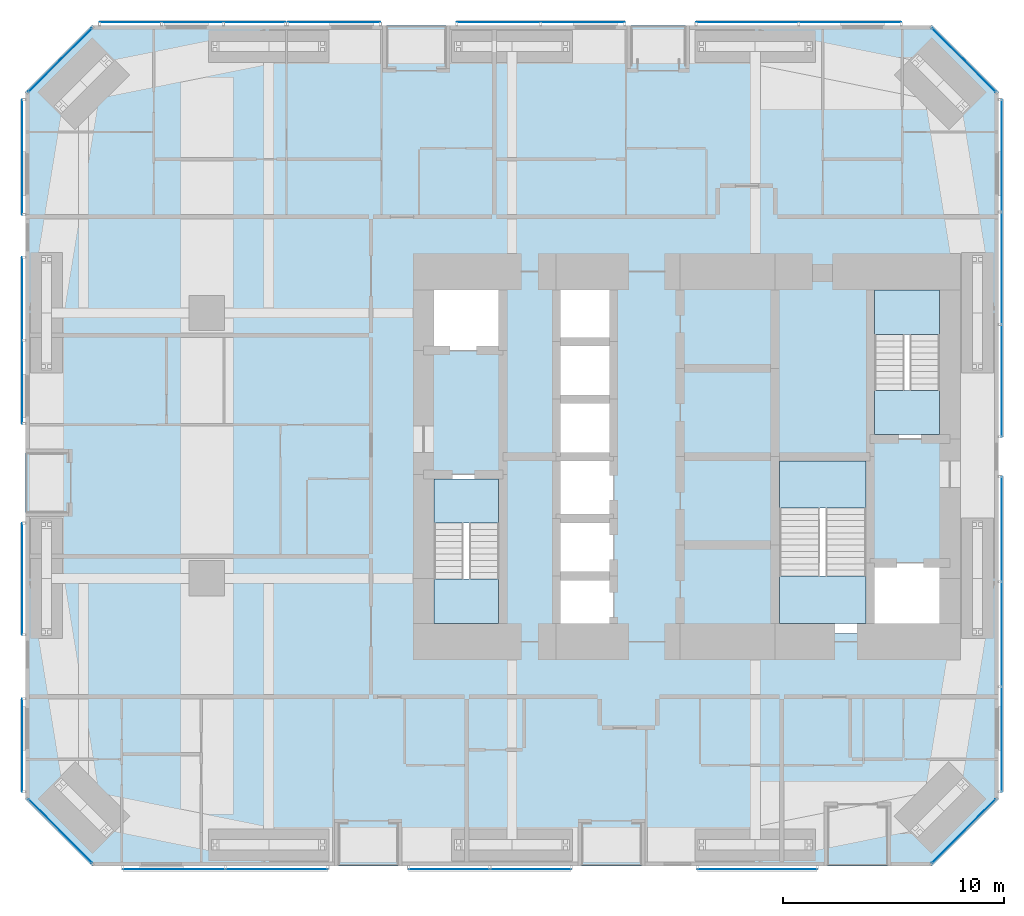
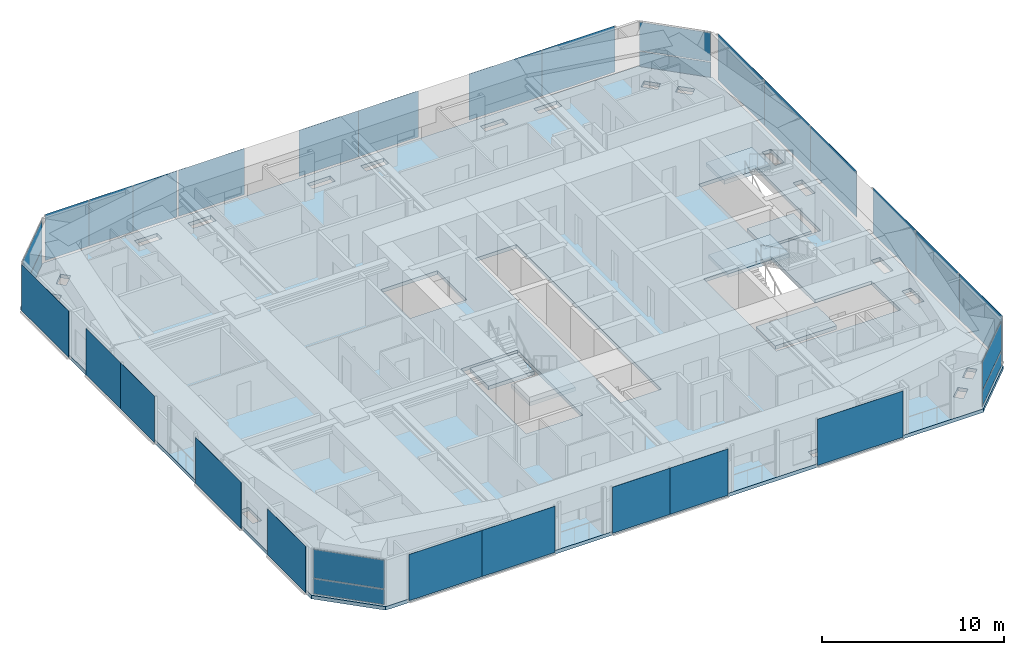
# One storey, part 15 of 23: 32 plates, 7 slabs, 20 elements without a shape of their own.
"""IFC4 building model written with IfcOpenShell, lengths in metres."""

from ifc_helpers import new_model, si_unit, direction, frame, origin, origin_2d, place, context, subcontext, project, spatial, polyline, rectangle, outline, extrude, material, layer, layer_set, type_object, element, aggregate, save


model = new_model("IFC4")

# Units and contexts
model_context = context("Model", 3, precision=1e-05, world=origin(), true_north=direction((0.0, 1.0)))
body_context = subcontext(model_context, "Body", "Model", "MODEL_VIEW")
ifc_project = project(units=[si_unit("LENGTHUNIT", "METRE"), si_unit("AREAUNIT", "SQUARE_METRE"), si_unit("VOLUMEUNIT", "CUBIC_METRE"), si_unit("PLANEANGLEUNIT", "RADIAN"), si_unit("MASSUNIT", "GRAM", prefix="KILO")], contexts=[model_context])

# Site, building, storey
site_placement = place(None, origin())
site = spatial("IfcSite", under=ifc_project, at=site_placement, CompositionType="ELEMENT")
building_placement = place(site_placement, origin())
building = spatial("IfcBuilding", under=site, at=building_placement, Name="Jalousie Tower", CompositionType="ELEMENT")
storey_placement = place(building_placement, frame((0.0, 0.0, 41.10009765625)))
storey = spatial("IfcBuildingStorey", under=building, at=storey_placement, Name="L10", CompositionType="ELEMENT", Elevation=41.10009765625)

# Curtain wall, plates
ifc_material_1 = material(Name="Aluminium curtain wall", Category="aluminium")
curtain_wall_type_1 = type_object("IfcCurtainWallType", Name="CORNER WINDOW WALL", PredefinedType="USERDEFINED", material=ifc_material_1)
curtain_wall_1_placement = place(storey_placement, origin())
curtain_wall_1 = element("IfcCurtainWall", 1, at=curtain_wall_1_placement, inside=storey, type_object=curtain_wall_type_1, Name="Corner Window Wall L10 2", ObjectType="CORNER WINDOW WALL", PredefinedType="USERDEFINED")
ifc_material_2 = material(Name="Laminated impact-rated spandrel glass", Category="glass")
ifc_layer_1 = layer(ifc_material_2, 0.028076171875)
ifc_layer_set_1 = layer_set([ifc_layer_1], Name="Laminated impact-rated spandrel glass")
plate_type_1 = type_object("IfcPlateType", Name="CORNER WINDOW WALL PANEL", PredefinedType="CURTAIN_PANEL", material=ifc_layer_set_1)
plate_1_placement = place(storey_placement, frame((44.4306640625, 1.5693359375, 0.06005859375), z_axis=(0.0, 0.0, 1.0), x_axis=(0.707106781187, 0.707106781187, 0.0)))
plate_1 = element("IfcPlate", 2, at=plate_1_placement, type_object=plate_type_1, Name="CW-C panel 1.1", PredefinedType="CURTAIN_PANEL", context=body_context, shape_type="SweptSolid", body=[
    extrude(rectangle(XDim=4.071533203125, YDim=0.028076171875, at=origin_2d()), origin(), (0.0, 0.0, 1.0), 1.010009765625),
])
plate_2_placement = place(storey_placement, frame((44.4306640625, 1.5693359375, 1.1298828125), z_axis=(0.0, 0.0, 1.0), x_axis=(0.707106781187, 0.707106781187, 0.0)))
plate_2 = element("IfcPlate", 3, at=plate_2_placement, type_object=plate_type_1, Name="CW-C panel 1.2", PredefinedType="CURTAIN_PANEL", context=body_context, shape_type="SweptSolid", body=[
    extrude(rectangle(XDim=4.071533203125, YDim=0.028076171875, at=origin_2d()), origin(), (0.0, 0.0, 1.0), 1.919921875),
])
aggregate(curtain_wall_1, [plate_1, plate_2])

curtain_wall_2_placement = place(storey_placement, origin())
curtain_wall_2 = element("IfcCurtainWall", 4, at=curtain_wall_2_placement, inside=storey, type_object=curtain_wall_type_1, Name="Corner Window Wall L10 4", ObjectType="CORNER WINDOW WALL", PredefinedType="USERDEFINED")
plate_3_placement = place(storey_placement, frame((44.4306640625, 36.4306640625, 0.06005859375), z_axis=(0.0, 0.0, 1.0), x_axis=(-0.707106781187, 0.707106781187, 0.0)))
plate_3 = element("IfcPlate", 5, at=plate_3_placement, type_object=plate_type_1, Name="CW-C panel 1.1", PredefinedType="CURTAIN_PANEL", context=body_context, shape_type="SweptSolid", body=[
    extrude(rectangle(XDim=4.071533203125, YDim=0.028076171875, at=origin_2d()), origin(), (0.0, 0.0, 1.0), 1.010009765625),
])
plate_4_placement = place(storey_placement, frame((44.4306640625, 36.4306640625, 1.1298828125), z_axis=(0.0, 0.0, 1.0), x_axis=(-0.707106781187, 0.707106781187, 0.0)))
plate_4 = element("IfcPlate", 6, at=plate_4_placement, type_object=plate_type_1, Name="CW-C panel 1.2", PredefinedType="CURTAIN_PANEL", context=body_context, shape_type="SweptSolid", body=[
    extrude(rectangle(XDim=4.071533203125, YDim=0.028076171875, at=origin_2d()), origin(), (0.0, 0.0, 1.0), 1.919921875),
])
aggregate(curtain_wall_2, [plate_3, plate_4])

curtain_wall_3_placement = place(storey_placement, origin())
curtain_wall_3 = element("IfcCurtainWall", 7, at=curtain_wall_3_placement, inside=storey, type_object=curtain_wall_type_1, Name="Corner Window Wall L10 6", ObjectType="CORNER WINDOW WALL", PredefinedType="USERDEFINED")
plate_5_placement = place(storey_placement, frame((3.5693359375, 36.4306640625, 0.06005859375), z_axis=(0.0, 0.0, 1.0), x_axis=(-0.707106781187, -0.707106781187, 0.0)))
plate_5 = element("IfcPlate", 8, at=plate_5_placement, type_object=plate_type_1, Name="CW-C panel 1.1", PredefinedType="CURTAIN_PANEL", context=body_context, shape_type="SweptSolid", body=[
    extrude(rectangle(XDim=4.071533203125, YDim=0.028076171875, at=origin_2d()), origin(), (0.0, 0.0, 1.0), 1.010009765625),
])
plate_6_placement = place(storey_placement, frame((3.5693359375, 36.4306640625, 1.1298828125), z_axis=(0.0, 0.0, 1.0), x_axis=(-0.707106781187, -0.707106781187, 0.0)))
plate_6 = element("IfcPlate", 9, at=plate_6_placement, type_object=plate_type_1, Name="CW-C panel 1.2", PredefinedType="CURTAIN_PANEL", context=body_context, shape_type="SweptSolid", body=[
    extrude(rectangle(XDim=4.071533203125, YDim=0.028076171875, at=origin_2d()), origin(), (0.0, 0.0, 1.0), 1.919921875),
])
aggregate(curtain_wall_3, [plate_5, plate_6])

curtain_wall_4_placement = place(storey_placement, origin())
curtain_wall_4 = element("IfcCurtainWall", 10, at=curtain_wall_4_placement, inside=storey, type_object=curtain_wall_type_1, Name="Corner Window Wall L10 8", ObjectType="CORNER WINDOW WALL", PredefinedType="USERDEFINED")
plate_7_placement = place(storey_placement, frame((3.5693359375, 1.5693359375, 0.06005859375), z_axis=(0.0, 0.0, 1.0), x_axis=(0.707106781187, -0.707106781187, 0.0)))
plate_7 = element("IfcPlate", 11, at=plate_7_placement, type_object=plate_type_1, Name="CW-C panel 1.1", PredefinedType="CURTAIN_PANEL", context=body_context, shape_type="SweptSolid", body=[
    extrude(rectangle(XDim=4.071533203125, YDim=0.028076171875, at=origin_2d()), origin(), (0.0, 0.0, 1.0), 1.010009765625),
])
plate_8_placement = place(storey_placement, frame((3.5693359375, 1.5693359375, 1.1298828125), z_axis=(0.0, 0.0, 1.0), x_axis=(0.707106781187, -0.707106781187, 0.0)))
plate_8 = element("IfcPlate", 12, at=plate_8_placement, type_object=plate_type_1, Name="CW-C panel 1.2", PredefinedType="CURTAIN_PANEL", context=body_context, shape_type="SweptSolid", body=[
    extrude(rectangle(XDim=4.071533203125, YDim=0.028076171875, at=origin_2d()), origin(), (0.0, 0.0, 1.0), 1.919921875),
])
aggregate(curtain_wall_4, [plate_7, plate_8])

# Slab
ifc_material_3 = material(Name="Concrete f'c 40 MPa", Category="concrete")
ifc_layer_2 = layer(ifc_material_3, 0.239990234375)
ifc_layer_set_2 = layer_set([ifc_layer_2], Name="Concrete f'c 40 MPa")
slab_type_1 = type_object("IfcSlabType", Name="FLOOR SLAB 240", PredefinedType="FLOOR", material=ifc_layer_set_2)
slab_1_placement = place(storey_placement, frame((0.0, 0.0, -0.239990234375)))
element("IfcSlab", 13, at=slab_1_placement, inside=storey, type_object=slab_type_1, Name="L10 floor slab", PredefinedType="FLOOR", context=body_context, shape_type="SweptSolid", body=[
    extrude(outline(polyline([(5.0, 0.0), (43.0, 0.0), (46.0, 3.0), (46.0, 35.0), (43.0, 38.0), (5.0, 38.0), (2.0, 35.0), (2.0, 3.0), (5.0, 0.0)]), holes=[polyline([(24.974609375, 0.663818359375), (24.974609375, 1.236083984375), (26.3642578125, 1.236083984375), (26.425048828125, 1.236083984375), (26.425048828125, 0.663818359375), (26.3642578125, 0.663818359375), (24.974609375, 0.663818359375)]), polyline([(23.025390625, 1.236083984375), (23.025390625, 0.663818359375), (21.6357421875, 0.663818359375), (21.574951171875, 0.663818359375), (21.574951171875, 1.236083984375), (21.6357421875, 1.236083984375), (23.025390625, 1.236083984375)]), polyline([(10.574951171875, 1.236083984375), (10.6357421875, 1.236083984375), (12.025390625, 1.236083984375), (12.025390625, 0.663818359375), (10.6357421875, 0.663818359375), (10.574951171875, 0.663818359375), (10.574951171875, 1.236083984375)]), polyline([(13.974609375, 1.236083984375), (15.3642578125, 1.236083984375), (15.425048828125, 1.236083984375), (15.425048828125, 0.663818359375), (15.3642578125, 0.663818359375), (13.974609375, 0.663818359375), (13.974609375, 1.236083984375)]), polyline([(5.373291015625, 1.484619140625), (4.78564453125, 2.072509765625), (5.1904296875, 2.47705078125), (5.778076171875, 1.889404296875), (5.859130859375, 1.808349609375), (5.859130859375, 1.808349609375), (5.859130859375, 1.808349609375), (5.65673828125, 1.606201171875), (5.454345703125, 1.40380859375), (5.373291015625, 1.484619140625), (5.373291015625, 1.484619140625)]), polyline([(4.072509765625, 2.78564453125), (3.40380859375, 3.454345703125), (3.808349609375, 3.859130859375), (3.889404296875, 3.778076171875), (4.47705078125, 3.1904296875), (4.072509765625, 2.78564453125)]), polyline([(3.236083984375, 10.574951171875), (2.663818359375, 10.574951171875), (2.663818359375, 10.6357421875), (2.663818359375, 12.025390625), (3.236083984375, 12.025390625), (3.236083984375, 10.6357421875), (3.236083984375, 10.574951171875)]), polyline([(26.0, 10.5), (26.0, 26.5), (28.60009765625, 26.5), (28.60009765625, 10.5), (26.0, 10.5)]), polyline([(20.0, 10.5), (23.60009765625, 10.5), (23.60009765625, 17.699951171875), (20.0, 17.699951171875), (20.0, 10.5)]), polyline([(3.236083984375, 15.3642578125), (3.236083984375, 13.974609375), (2.663818359375, 13.974609375), (2.663818359375, 15.3642578125), (2.663818359375, 15.425048828125), (3.236083984375, 15.425048828125), (3.236083984375, 15.3642578125)]), polyline([(2.663818359375, 24.025390625), (3.236083984375, 24.025390625), (3.236083984375, 22.6357421875), (3.236083984375, 22.574951171875), (2.663818359375, 22.574951171875), (2.663818359375, 22.6357421875), (2.663818359375, 24.025390625)]), polyline([(20.0, 23.300048828125), (23.60009765625, 23.300048828125), (23.60009765625, 26.5), (20.0, 26.5), (20.0, 23.300048828125)]), polyline([(3.236083984375, 25.974609375), (2.663818359375, 25.974609375), (2.663818359375, 27.3642578125), (2.663818359375, 27.425048828125), (3.236083984375, 27.425048828125), (3.236083984375, 27.3642578125), (3.236083984375, 25.974609375)]), polyline([(3.484619140625, 34.626708984375), (3.484619140625, 34.626708984375), (4.072509765625, 35.21435546875), (4.47705078125, 34.8095703125), (3.889404296875, 34.221923828125), (3.808349609375, 34.140869140625), (3.808349609375, 34.140869140625), (3.606201171875, 34.34326171875), (3.40380859375, 34.545654296875), (3.484619140625, 34.626708984375)]), polyline([(5.859130859375, 36.191650390625), (5.1904296875, 35.52294921875), (4.78564453125, 35.927490234375), (5.454345703125, 36.59619140625), (5.454345703125, 36.59619140625), (5.454345703125, 36.59619140625), (5.65673828125, 36.393798828125), (5.859130859375, 36.191650390625)]), polyline([(15.425048828125, 37.336181640625), (15.425048828125, 36.763916015625), (15.3642578125, 36.763916015625), (13.974609375, 36.763916015625), (13.974609375, 37.336181640625), (15.3642578125, 37.336181640625), (15.425048828125, 37.336181640625)]), polyline([(23.025390625, 36.763916015625), (21.6357421875, 36.763916015625), (21.574951171875, 36.763916015625), (21.574951171875, 37.336181640625), (21.6357421875, 37.336181640625), (23.025390625, 37.336181640625), (23.025390625, 36.763916015625)]), polyline([(10.574951171875, 36.763916015625), (10.574951171875, 37.336181640625), (10.6357421875, 37.336181640625), (12.025390625, 37.336181640625), (12.025390625, 36.763916015625), (10.6357421875, 36.763916015625), (10.574951171875, 36.763916015625)]), polyline([(24.974609375, 37.336181640625), (26.3642578125, 37.336181640625), (26.425048828125, 37.336181640625), (26.425048828125, 36.763916015625), (26.3642578125, 36.763916015625), (24.974609375, 36.763916015625), (24.974609375, 37.336181640625)]), polyline([(32.6357421875, 0.663818359375), (32.574951171875, 0.663818359375), (32.574951171875, 1.236083984375), (32.6357421875, 1.236083984375), (34.025390625, 1.236083984375), (34.025390625, 0.663818359375), (32.6357421875, 0.663818359375)]), polyline([(37.3642578125, 1.236083984375), (37.425048828125, 1.236083984375), (37.425048828125, 0.663818359375), (37.3642578125, 0.663818359375), (35.974609375, 0.663818359375), (35.974609375, 1.236083984375), (37.3642578125, 1.236083984375)]), polyline([(42.626708984375, 1.484619140625), (42.545654296875, 1.40380859375), (42.34326171875, 1.606201171875), (42.140869140625, 1.808349609375), (42.140869140625, 1.808349609375), (42.140869140625, 1.808349609375), (42.221923828125, 1.889404296875), (42.8095703125, 2.47705078125), (43.21435546875, 2.072509765625), (42.626708984375, 1.484619140625), (42.626708984375, 1.484619140625)]), polyline([(44.191650390625, 3.859130859375), (44.393798828125, 3.65673828125), (44.59619140625, 3.454345703125), (44.59619140625, 3.454345703125), (44.59619140625, 3.454345703125), (43.927490234375, 2.78564453125), (43.52294921875, 3.1904296875), (44.191650390625, 3.859130859375)]), polyline([(45.336181640625, 10.574951171875), (44.763916015625, 10.574951171875), (44.763916015625, 10.6357421875), (44.763916015625, 12.025390625), (45.336181640625, 12.025390625), (45.336181640625, 10.6357421875), (45.336181640625, 10.574951171875)]), polyline([(35.89990234375, 10.5), (35.89990234375, 18.5), (40.199951171875, 18.5), (40.199951171875, 13.699951171875), (43.800048828125, 13.699951171875), (43.800048828125, 10.5), (35.89990234375, 10.5)]), polyline([(45.336181640625, 13.974609375), (44.763916015625, 13.974609375), (44.763916015625, 15.3642578125), (44.763916015625, 15.425048828125), (45.336181640625, 15.425048828125), (45.336181640625, 15.3642578125), (45.336181640625, 13.974609375)]), polyline([(40.199951171875, 19.300048828125), (43.800048828125, 19.300048828125), (43.800048828125, 26.5), (40.199951171875, 26.5), (40.199951171875, 19.300048828125)]), polyline([(45.336181640625, 22.574951171875), (44.763916015625, 22.574951171875), (44.763916015625, 22.6357421875), (44.763916015625, 24.025390625), (45.336181640625, 24.025390625), (45.336181640625, 22.6357421875), (45.336181640625, 22.574951171875)]), polyline([(45.336181640625, 27.3642578125), (45.336181640625, 25.974609375), (44.763916015625, 25.974609375), (44.763916015625, 27.3642578125), (44.763916015625, 27.425048828125), (45.336181640625, 27.425048828125), (45.336181640625, 27.3642578125)]), polyline([(43.927490234375, 35.21435546875), (44.59619140625, 34.545654296875), (44.59619140625, 34.545654296875), (44.393798828125, 34.34326171875), (44.191650390625, 34.140869140625), (43.52294921875, 34.8095703125), (43.927490234375, 35.21435546875)]), polyline([(43.21435546875, 35.927490234375), (42.8095703125, 35.52294921875), (42.140869140625, 36.191650390625), (42.34326171875, 36.393798828125), (42.545654296875, 36.59619140625), (42.545654296875, 36.59619140625), (43.21435546875, 35.927490234375)]), polyline([(37.3642578125, 37.336181640625), (37.425048828125, 37.336181640625), (37.425048828125, 36.763916015625), (37.3642578125, 36.763916015625), (35.974609375, 36.763916015625), (35.974609375, 37.336181640625), (37.3642578125, 37.336181640625)]), polyline([(34.025390625, 37.336181640625), (34.025390625, 36.763916015625), (32.6357421875, 36.763916015625), (32.574951171875, 36.763916015625), (32.574951171875, 37.336181640625), (32.6357421875, 37.336181640625), (34.025390625, 37.336181640625)])]), origin(), (0.0, 0.0, 1.0), 0.239990234375),
])

# Curtain wall, plates
ifc_material_4 = material(Name="Perforated aluminium sheet", Category="aluminium")
curtain_wall_type_2 = type_object("IfcCurtainWallType", Name="SOLAR SCREEN SS-1", PredefinedType="USERDEFINED", material=ifc_material_4)
curtain_wall_5_placement = place(storey_placement, origin())
curtain_wall_5 = element("IfcCurtainWall", 14, at=curtain_wall_5_placement, inside=storey, type_object=curtain_wall_type_2, Name="Solar screen L10", ObjectType="SOLAR SCREEN SS-1", PredefinedType="USERDEFINED")
ifc_material_5 = material(Name="Perforated aluminium sheet", Category="aluminium")
ifc_layer_3 = layer(ifc_material_5, 0.006103515625)
ifc_layer_set_3 = layer_set([ifc_layer_3], Name="Perforated aluminium sheet")
plate_type_2 = type_object("IfcPlateType", Name="SOLAR SCREEN SS-1 PANEL", PredefinedType="CURTAIN_PANEL", material=ifc_layer_set_3)
plate_9_placement = place(storey_placement, frame((8.71875, -0.150390625, 0.0), z_axis=(0.0, 0.0, 1.0), x_axis=(1.0, 0.0, 0.0)))
plate_9 = element("IfcPlate", 15, at=plate_9_placement, type_object=plate_type_2, Name="SS1 perforated panel 1", PredefinedType="CURTAIN_PANEL", context=body_context, shape_type="SweptSolid", body=[
    extrude(rectangle(XDim=4.637451171875, YDim=0.006103515625, at=origin_2d()), origin(), (0.0, 0.0, 1.0), 3.110107421875),
])
plate_10_placement = place(storey_placement, frame((13.356201171875, -0.150390625, 0.0), z_axis=(0.0, 0.0, 1.0), x_axis=(1.0, 0.0, 0.0)))
plate_10 = element("IfcPlate", 16, at=plate_10_placement, type_object=plate_type_2, Name="SS1 perforated panel 2", PredefinedType="CURTAIN_PANEL", context=body_context, shape_type="SweptSolid", body=[
    extrude(rectangle(XDim=4.637451171875, YDim=0.006103515625, at=origin_2d()), origin(), (0.0, 0.0, 1.0), 3.110107421875),
])
aggregate(curtain_wall_5, [plate_9, plate_10])

curtain_wall_6_placement = place(storey_placement, origin())
curtain_wall_6 = element("IfcCurtainWall", 17, at=curtain_wall_6_placement, inside=storey, type_object=curtain_wall_type_2, Name="Solar screen L10", ObjectType="SOLAR SCREEN SS-1", PredefinedType="USERDEFINED")
plate_11_placement = place(storey_placement, frame((21.16259765625, -0.150390625, 0.0), z_axis=(0.0, 0.0, 1.0), x_axis=(1.0, 0.0, 0.0)))
plate_11 = element("IfcPlate", 18, at=plate_11_placement, type_object=plate_type_2, Name="SS1 perforated panel 1", PredefinedType="CURTAIN_PANEL", context=body_context, shape_type="SweptSolid", body=[
    extrude(rectangle(XDim=3.675048828125, YDim=0.006103515625, at=origin_2d()), origin(), (0.0, 0.0, 1.0), 3.110107421875),
])
plate_12_placement = place(storey_placement, frame((24.83740234375, -0.150390625, 0.0), z_axis=(0.0, 0.0, 1.0), x_axis=(1.0, 0.0, 0.0)))
plate_12 = element("IfcPlate", 19, at=plate_12_placement, type_object=plate_type_2, Name="SS1 perforated panel 2", PredefinedType="CURTAIN_PANEL", context=body_context, shape_type="SweptSolid", body=[
    extrude(rectangle(XDim=3.675048828125, YDim=0.006103515625, at=origin_2d()), origin(), (0.0, 0.0, 1.0), 3.110107421875),
])
aggregate(curtain_wall_6, [plate_11, plate_12])

# Curtain wall, plate
curtain_wall_7_placement = place(storey_placement, origin())
curtain_wall_7 = element("IfcCurtainWall", 20, at=curtain_wall_7_placement, inside=storey, type_object=curtain_wall_type_2, Name="Solar screen L10", ObjectType="SOLAR SCREEN SS-1", PredefinedType="USERDEFINED")
plate_13_placement = place(storey_placement, frame((35.09130859375, -0.150390625, 0.0), z_axis=(0.0, 0.0, 1.0), x_axis=(1.0, 0.0, 0.0)))
plate_13 = element("IfcPlate", 21, at=plate_13_placement, type_object=plate_type_2, Name="SS1 perforated panel 1", PredefinedType="CURTAIN_PANEL", context=body_context, shape_type="SweptSolid", body=[
    extrude(rectangle(XDim=5.41748046875, YDim=0.006103515625, at=origin_2d()), origin(), (0.0, 0.0, 1.0), 3.110107421875),
])
aggregate(curtain_wall_7, [plate_13])

# Curtain wall, plates
curtain_wall_8_placement = place(storey_placement, origin())
curtain_wall_8 = element("IfcCurtainWall", 22, at=curtain_wall_8_placement, inside=storey, type_object=curtain_wall_type_2, Name="Solar screen L10", ObjectType="SOLAR SCREEN SS-1", PredefinedType="USERDEFINED")
plate_14_placement = place(storey_placement, frame((46.150390625, 5.72607421875, 0.0), z_axis=(0.0, 0.0, 1.0), x_axis=(0.0, 1.0, 0.0)))
plate_14 = element("IfcPlate", 23, at=plate_14_placement, type_object=plate_type_2, Name="SS1 perforated panel 1", PredefinedType="CURTAIN_PANEL", context=body_context, shape_type="SweptSolid", body=[
    extrude(rectangle(XDim=4.74951171875, YDim=0.006103515625, at=origin_2d()), origin(), (0.0, 0.0, 1.0), 3.110107421875),
])
plate_15_placement = place(storey_placement, frame((46.150390625, 10.4755859375, 0.0), z_axis=(0.0, 0.0, 1.0), x_axis=(0.0, 1.0, 0.0)))
plate_15 = element("IfcPlate", 24, at=plate_15_placement, type_object=plate_type_2, Name="SS1 perforated panel 2", PredefinedType="CURTAIN_PANEL", context=body_context, shape_type="SweptSolid", body=[
    extrude(rectangle(XDim=4.74951171875, YDim=0.006103515625, at=origin_2d()), origin(), (0.0, 0.0, 1.0), 3.110107421875),
])
plate_16_placement = place(storey_placement, frame((46.150390625, 15.22509765625, 0.0), z_axis=(0.0, 0.0, 1.0), x_axis=(0.0, 1.0, 0.0)))
plate_16 = element("IfcPlate", 25, at=plate_16_placement, type_object=plate_type_2, Name="SS1 perforated panel 3", PredefinedType="CURTAIN_PANEL", context=body_context, shape_type="SweptSolid", body=[
    extrude(rectangle(XDim=4.74951171875, YDim=0.006103515625, at=origin_2d()), origin(), (0.0, 0.0, 1.0), 3.110107421875),
])
aggregate(curtain_wall_8, [plate_14, plate_15, plate_16])

curtain_wall_9_placement = place(storey_placement, origin())
curtain_wall_9 = element("IfcCurtainWall", 26, at=curtain_wall_9_placement, inside=storey, type_object=curtain_wall_type_2, Name="Solar screen L10", ObjectType="SOLAR SCREEN SS-1", PredefinedType="USERDEFINED")
plate_17_placement = place(storey_placement, frame((46.150390625, 21.94140625, 0.0), z_axis=(0.0, 0.0, 1.0), x_axis=(0.0, 1.0, 0.0)))
plate_17 = element("IfcPlate", 27, at=plate_17_placement, type_object=plate_type_2, Name="SS1 perforated panel 1", PredefinedType="CURTAIN_PANEL", context=body_context, shape_type="SweptSolid", body=[
    extrude(rectangle(XDim=5.0830078125, YDim=0.006103515625, at=origin_2d()), origin(), (0.0, 0.0, 1.0), 3.110107421875),
])
plate_18_placement = place(storey_placement, frame((46.150390625, 27.0244140625, 0.0), z_axis=(0.0, 0.0, 1.0), x_axis=(0.0, 1.0, 0.0)))
plate_18 = element("IfcPlate", 28, at=plate_18_placement, type_object=plate_type_2, Name="SS1 perforated panel 2", PredefinedType="CURTAIN_PANEL", context=body_context, shape_type="SweptSolid", body=[
    extrude(rectangle(XDim=5.0830078125, YDim=0.006103515625, at=origin_2d()), origin(), (0.0, 0.0, 1.0), 3.110107421875),
])
plate_19_placement = place(storey_placement, frame((46.150390625, 32.107177734375, 0.0), z_axis=(0.0, 0.0, 1.0), x_axis=(0.0, 1.0, 0.0)))
plate_19 = element("IfcPlate", 29, at=plate_19_placement, type_object=plate_type_2, Name="SS1 perforated panel 3", PredefinedType="CURTAIN_PANEL", context=body_context, shape_type="SweptSolid", body=[
    extrude(rectangle(XDim=5.0830078125, YDim=0.006103515625, at=origin_2d()), origin(), (0.0, 0.0, 1.0), 3.110107421875),
])
aggregate(curtain_wall_9, [plate_17, plate_18, plate_19])

curtain_wall_10_placement = place(storey_placement, origin())
curtain_wall_10 = element("IfcCurtainWall", 30, at=curtain_wall_10_placement, inside=storey, type_object=curtain_wall_type_2, Name="Solar screen L10", ObjectType="SOLAR SCREEN SS-1", PredefinedType="USERDEFINED")
plate_20_placement = place(storey_placement, frame((39.28125, 38.150390625, 0.0), z_axis=(0.0, 0.0, 1.0), x_axis=(-1.0, 0.0, 0.0)))
plate_20 = element("IfcPlate", 31, at=plate_20_placement, type_object=plate_type_2, Name="SS1 perforated panel 1", PredefinedType="CURTAIN_PANEL", context=body_context, shape_type="SweptSolid", body=[
    extrude(rectangle(XDim=4.637451171875, YDim=0.006103515625, at=origin_2d()), origin(), (0.0, 0.0, 1.0), 3.110107421875),
])
plate_21_placement = place(storey_placement, frame((34.643798828125, 38.150390625, 0.0), z_axis=(0.0, 0.0, 1.0), x_axis=(-1.0, 0.0, 0.0)))
plate_21 = element("IfcPlate", 32, at=plate_21_placement, type_object=plate_type_2, Name="SS1 perforated panel 2", PredefinedType="CURTAIN_PANEL", context=body_context, shape_type="SweptSolid", body=[
    extrude(rectangle(XDim=4.637451171875, YDim=0.006103515625, at=origin_2d()), origin(), (0.0, 0.0, 1.0), 3.110107421875),
])
aggregate(curtain_wall_10, [plate_20, plate_21])

curtain_wall_11_placement = place(storey_placement, origin())
curtain_wall_11 = element("IfcCurtainWall", 33, at=curtain_wall_11_placement, inside=storey, type_object=curtain_wall_type_2, Name="Solar screen L10", ObjectType="SOLAR SCREEN SS-1", PredefinedType="USERDEFINED")
plate_22_placement = place(storey_placement, frame((27.199951171875, 38.150390625, 0.0), z_axis=(0.0, 0.0, 1.0), x_axis=(-1.0, 0.0, 0.0)))
plate_22 = element("IfcPlate", 34, at=plate_22_placement, type_object=plate_type_2, Name="SS1 perforated panel 1", PredefinedType="CURTAIN_PANEL", context=body_context, shape_type="SweptSolid", body=[
    extrude(rectangle(XDim=3.800048828125, YDim=0.006103515625, at=origin_2d()), origin(), (0.0, 0.0, 1.0), 3.110107421875),
])
plate_23_placement = place(storey_placement, frame((23.39990234375, 38.150390625, 0.0), z_axis=(0.0, 0.0, 1.0), x_axis=(-1.0, 0.0, 0.0)))
plate_23 = element("IfcPlate", 35, at=plate_23_placement, type_object=plate_type_2, Name="SS1 perforated panel 2", PredefinedType="CURTAIN_PANEL", context=body_context, shape_type="SweptSolid", body=[
    extrude(rectangle(XDim=3.800048828125, YDim=0.006103515625, at=origin_2d()), origin(), (0.0, 0.0, 1.0), 3.110107421875),
])
aggregate(curtain_wall_11, [plate_22, plate_23])

# Curtain wall, plate
curtain_wall_12_placement = place(storey_placement, origin())
curtain_wall_12 = element("IfcCurtainWall", 36, at=curtain_wall_12_placement, inside=storey, type_object=curtain_wall_type_2, Name="Solar screen L10", ObjectType="SOLAR SCREEN SS-1", PredefinedType="USERDEFINED")
plate_24_placement = place(storey_placement, frame((15.949951171875, 38.150390625, 0.0), z_axis=(0.0, 0.0, 1.0), x_axis=(-1.0, 0.0, 0.0)))
plate_24 = element("IfcPlate", 37, at=plate_24_placement, type_object=plate_type_2, Name="SS1 perforated panel 1", PredefinedType="CURTAIN_PANEL", context=body_context, shape_type="SweptSolid", body=[
    extrude(rectangle(XDim=4.199951171875, YDim=0.006103515625, at=origin_2d()), origin(), (0.0, 0.0, 1.0), 3.110107421875),
])
aggregate(curtain_wall_12, [plate_24])

# Curtain wall, plates
curtain_wall_13_placement = place(storey_placement, origin())
curtain_wall_13 = element("IfcCurtainWall", 38, at=curtain_wall_13_placement, inside=storey, type_object=curtain_wall_type_2, Name="Solar screen L10", ObjectType="SOLAR SCREEN SS-1", PredefinedType="USERDEFINED")
plate_25_placement = place(storey_placement, frame((12.35009765625, 38.150390625, 0.0), z_axis=(0.0, 0.0, 1.0), x_axis=(-1.0, 0.0, 0.0)))
plate_25 = element("IfcPlate", 39, at=plate_25_placement, type_object=plate_type_2, Name="SS1 perforated panel 1", PredefinedType="CURTAIN_PANEL", context=body_context, shape_type="SweptSolid", body=[
    extrude(rectangle(XDim=2.799560546875, YDim=0.006103515625, at=origin_2d()), origin(), (0.0, 0.0, 1.0), 3.110107421875),
])
plate_26_placement = place(storey_placement, frame((9.55078125, 38.150390625, 0.0), z_axis=(0.0, 0.0, 1.0), x_axis=(-1.0, 0.0, 0.0)))
plate_26 = element("IfcPlate", 40, at=plate_26_placement, type_object=plate_type_2, Name="SS1 perforated panel 2", PredefinedType="CURTAIN_PANEL", context=body_context, shape_type="SweptSolid", body=[
    extrude(rectangle(XDim=2.799560546875, YDim=0.006103515625, at=origin_2d()), origin(), (0.0, 0.0, 1.0), 3.110107421875),
])
plate_27_placement = place(storey_placement, frame((6.751220703125, 38.150390625, 0.0), z_axis=(0.0, 0.0, 1.0), x_axis=(-1.0, 0.0, 0.0)))
plate_27 = element("IfcPlate", 41, at=plate_27_placement, type_object=plate_type_2, Name="SS1 perforated panel 3", PredefinedType="CURTAIN_PANEL", context=body_context, shape_type="SweptSolid", body=[
    extrude(rectangle(XDim=2.799560546875, YDim=0.006103515625, at=origin_2d()), origin(), (0.0, 0.0, 1.0), 3.110107421875),
])
aggregate(curtain_wall_13, [plate_25, plate_26, plate_27])

# Curtain wall, plate
curtain_wall_14_placement = place(storey_placement, origin())
curtain_wall_14 = element("IfcCurtainWall", 42, at=curtain_wall_14_placement, inside=storey, type_object=curtain_wall_type_2, Name="Solar screen L10", ObjectType="SOLAR SCREEN SS-1", PredefinedType="USERDEFINED")
plate_28_placement = place(storey_placement, frame((1.849609375, 32.04931640625, 0.0), z_axis=(0.0, 0.0, 1.0), x_axis=(0.0, -1.0, 0.0)))
plate_28 = element("IfcPlate", 43, at=plate_28_placement, type_object=plate_type_2, Name="SS1 perforated panel 1", PredefinedType="CURTAIN_PANEL", context=body_context, shape_type="SweptSolid", body=[
    extrude(rectangle(XDim=5.19873046875, YDim=0.006103515625, at=origin_2d()), origin(), (0.0, 0.0, 1.0), 3.110107421875),
])
aggregate(curtain_wall_14, [plate_28])

# Curtain wall, plates
curtain_wall_15_placement = place(storey_placement, origin())
curtain_wall_15 = element("IfcCurtainWall", 44, at=curtain_wall_15_placement, inside=storey, type_object=curtain_wall_type_2, Name="Solar screen L10", ObjectType="SOLAR SCREEN SS-1", PredefinedType="USERDEFINED")
plate_29_placement = place(storey_placement, frame((1.849609375, 25.643798828125, 0.0), z_axis=(0.0, 0.0, 1.0), x_axis=(0.0, -1.0, 0.0)))
plate_29 = element("IfcPlate", 45, at=plate_29_placement, type_object=plate_type_2, Name="SS1 perforated panel 1", PredefinedType="CURTAIN_PANEL", context=body_context, shape_type="SweptSolid", body=[
    extrude(rectangle(XDim=3.762451171875, YDim=0.006103515625, at=origin_2d()), origin(), (0.0, 0.0, 1.0), 3.110107421875),
])
plate_30_placement = place(storey_placement, frame((1.849609375, 21.88134765625, 0.0), z_axis=(0.0, 0.0, 1.0), x_axis=(0.0, -1.0, 0.0)))
plate_30 = element("IfcPlate", 46, at=plate_30_placement, type_object=plate_type_2, Name="SS1 perforated panel 2", PredefinedType="CURTAIN_PANEL", context=body_context, shape_type="SweptSolid", body=[
    extrude(rectangle(XDim=3.762451171875, YDim=0.006103515625, at=origin_2d()), origin(), (0.0, 0.0, 1.0), 3.110107421875),
])
aggregate(curtain_wall_15, [plate_29, plate_30])

# Curtain wall, plate
curtain_wall_16_placement = place(storey_placement, origin())
curtain_wall_16 = element("IfcCurtainWall", 47, at=curtain_wall_16_placement, inside=storey, type_object=curtain_wall_type_2, Name="Solar screen L10", ObjectType="SOLAR SCREEN SS-1", PredefinedType="USERDEFINED")
plate_31_placement = place(storey_placement, frame((1.849609375, 12.97509765625, 0.0), z_axis=(0.0, 0.0, 1.0), x_axis=(0.0, -1.0, 0.0)))
plate_31 = element("IfcPlate", 48, at=plate_31_placement, type_object=plate_type_2, Name="SS1 perforated panel 1", PredefinedType="CURTAIN_PANEL", context=body_context, shape_type="SweptSolid", body=[
    extrude(rectangle(XDim=5.050048828125, YDim=0.006103515625, at=origin_2d()), origin(), (0.0, 0.0, 1.0), 3.110107421875),
])
aggregate(curtain_wall_16, [plate_31])

curtain_wall_17_placement = place(storey_placement, origin())
curtain_wall_17 = element("IfcCurtainWall", 49, at=curtain_wall_17_placement, inside=storey, type_object=curtain_wall_type_2, Name="Solar screen L10", ObjectType="SOLAR SCREEN SS-1", PredefinedType="USERDEFINED")
plate_32_placement = place(storey_placement, frame((1.849609375, 5.45068359375, 0.0), z_axis=(0.0, 0.0, 1.0), x_axis=(0.0, -1.0, 0.0)))
plate_32 = element("IfcPlate", 50, at=plate_32_placement, type_object=plate_type_2, Name="SS1 perforated panel 1", PredefinedType="CURTAIN_PANEL", context=body_context, shape_type="SweptSolid", body=[
    extrude(rectangle(XDim=4.19873046875, YDim=0.006103515625, at=origin_2d()), origin(), (0.0, 0.0, 1.0), 3.110107421875),
])
aggregate(curtain_wall_17, [plate_32])

# Stair, slabs
ifc_material_6 = material(Name="Concrete f'c 40 MPa", Category="concrete")
stair_type = type_object("IfcStairType", Name="EXIT STAIR", PredefinedType="HALF_TURN_STAIR", material=ifc_material_6)
stair_1_placement = place(storey_placement, origin())
stair_1 = element("IfcStair", 51, at=stair_1_placement, inside=storey, type_object=stair_type, Name="Exit stair A L10", PredefinedType="HALF_TURN_STAIR")
ifc_material_7 = material(Name="Concrete f'c 40 MPa", Category="concrete")
ifc_layer_4 = layer(ifc_material_7, 0.25)
ifc_layer_set_4 = layer_set([ifc_layer_4], Name="Concrete f'c 40 MPa")
slab_type_2 = type_object("IfcSlabType", Name="STAIR LANDING 250", PredefinedType="LANDING", material=ifc_layer_set_4)
slab_2_placement = place(storey_placement, frame((0.0, 0.0, -0.25)))
slab_2 = element("IfcSlab", 52, at=slab_2_placement, type_object=slab_type_2, Name="ST-A landing 1", PredefinedType="LANDING", context=body_context, shape_type="SweptSolid", body=[
    extrude(outline(polyline([(20.47509765625, 15.49755859375), (23.39990234375, 15.49755859375), (23.39990234375, 17.5), (20.47509765625, 17.5), (20.47509765625, 15.49755859375)])), origin(), (0.0, 0.0, 1.0), 0.25),
])
slab_3_placement = place(storey_placement, frame((0.0, 0.0, 1.4248046875)))
slab_3 = element("IfcSlab", 53, at=slab_3_placement, type_object=slab_type_2, Name="ST-A landing 2", PredefinedType="LANDING", context=body_context, shape_type="SweptSolid", body=[
    extrude(outline(polyline([(20.47509765625, 10.949951171875), (23.39990234375, 10.949951171875), (23.39990234375, 12.9775390625), (20.47509765625, 12.9775390625), (20.47509765625, 10.949951171875)])), origin(), (0.0, 0.0, 1.0), 0.25),
])
aggregate(stair_1, [slab_2, slab_3])

stair_2_placement = place(storey_placement, origin())
stair_2 = element("IfcStair", 54, at=stair_2_placement, inside=storey, type_object=stair_type, Name="Exit stair B L10", PredefinedType="HALF_TURN_STAIR")
slab_4_placement = place(storey_placement, frame((0.0, 0.0, -0.25)))
slab_4 = element("IfcSlab", 55, at=slab_4_placement, type_object=slab_type_2, Name="ST-B landing 1", PredefinedType="LANDING", context=body_context, shape_type="SweptSolid", body=[
    extrude(outline(polyline([(40.39990234375, 19.5), (43.324951171875, 19.5), (43.324951171875, 21.50244140625), (40.39990234375, 21.50244140625), (40.39990234375, 19.5)])), origin(), (0.0, 0.0, 1.0), 0.25),
])
slab_5_placement = place(storey_placement, frame((0.0, 0.0, 1.4248046875)))
slab_5 = element("IfcSlab", 56, at=slab_5_placement, type_object=slab_type_2, Name="ST-B landing 2", PredefinedType="LANDING", context=body_context, shape_type="SweptSolid", body=[
    extrude(outline(polyline([(40.39990234375, 24.0224609375), (43.324951171875, 24.0224609375), (43.324951171875, 26.050048828125), (40.39990234375, 26.050048828125), (40.39990234375, 24.0224609375)])), origin(), (0.0, 0.0, 1.0), 0.25),
])
aggregate(stair_2, [slab_4, slab_5])

stair_3_placement = place(storey_placement, origin())
stair_3 = element("IfcStair", 57, at=stair_3_placement, inside=storey, type_object=stair_type, Name="Exit stair C L10", PredefinedType="HALF_TURN_STAIR")
slab_6_placement = place(storey_placement, frame((0.0, 0.0, -0.25)))
slab_6 = element("IfcSlab", 58, at=slab_6_placement, type_object=slab_type_2, Name="ST-C landing 1", PredefinedType="LANDING", context=body_context, shape_type="SweptSolid", body=[
    extrude(outline(polyline([(36.10009765625, 10.949951171875), (40.0, 10.949951171875), (40.0, 13.097412109375), (36.10009765625, 13.097412109375), (36.10009765625, 10.949951171875)])), origin(), (0.0, 0.0, 1.0), 0.25),
])
slab_7_placement = place(storey_placement, frame((0.0, 0.0, 1.4248046875)))
slab_7 = element("IfcSlab", 59, at=slab_7_placement, type_object=slab_type_2, Name="ST-C landing 2", PredefinedType="LANDING", context=body_context, shape_type="SweptSolid", body=[
    extrude(outline(polyline([(36.10009765625, 16.177490234375), (40.0, 16.177490234375), (40.0, 18.300048828125), (36.10009765625, 18.300048828125), (36.10009765625, 16.177490234375)])), origin(), (0.0, 0.0, 1.0), 0.25),
])
aggregate(stair_3, [slab_6, slab_7])

save(model, "model.ifc")
